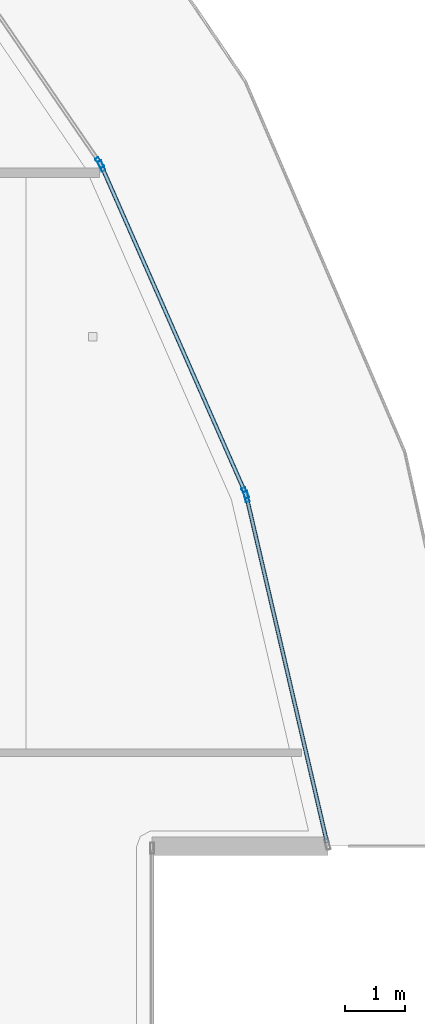
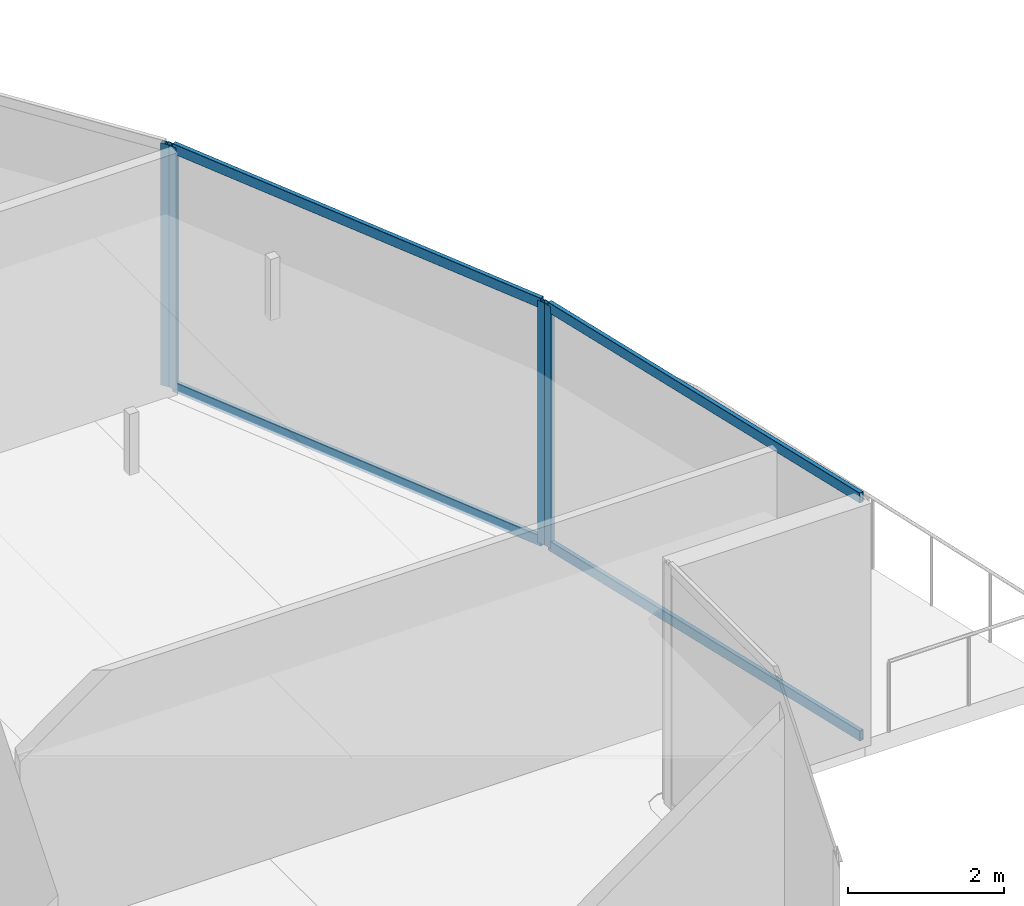
# One storey, part 25 of 43: 8 members, 3 elements without a shape of their own.
"""IFC4 building model written with IfcOpenShell, lengths in metres."""

from ifc_helpers import new_model, si_unit, direction, frame, origin, origin_2d, place, context, subcontext, project, spatial, hollow_rectangle, extrude, material, layer, layer_set, material_profile, profile_set, type_object, element, aggregate, save


model = new_model("IFC4")

# Units and contexts
model_context = context("Model", 3, precision=1e-05, world=origin(), true_north=direction((0.0, 1.0)))
body_context = subcontext(model_context, "Body", "Model", "MODEL_VIEW")
ifc_project = project(units=[si_unit("LENGTHUNIT", "METRE"), si_unit("AREAUNIT", "SQUARE_METRE"), si_unit("VOLUMEUNIT", "CUBIC_METRE"), si_unit("PLANEANGLEUNIT", "RADIAN"), si_unit("MASSUNIT", "GRAM", prefix="KILO")], contexts=[model_context])

# Site, building, storey
site_placement = place(None, origin())
site = spatial("IfcSite", under=ifc_project, at=site_placement, CompositionType="ELEMENT")
building_placement = place(site_placement, origin())
building = spatial("IfcBuilding", under=site, at=building_placement, Name="Qorvath Tower", CompositionType="ELEMENT")
storey_placement = place(building_placement, frame((0.0, 0.0, 213.14990234375)))
storey = spatial("IfcBuildingStorey", under=building, at=storey_placement, Name="L49", CompositionType="ELEMENT", Elevation=213.14990234375)

# Curtain wall, member
ifc_material_1 = material(Name="Anodised aluminium and triple low-E glass", Category="aluminium")
ifc_layer = layer(ifc_material_1, 0.179931640625)
ifc_layer_set = layer_set([ifc_layer], Name="CW-SYS-3")
curtain_wall_type = type_object("IfcCurtainWallType", Name="CW-SYS-3", PredefinedType="NOTDEFINED", material=ifc_layer_set)
curtain_wall_1_placement = place(storey_placement, origin())
curtain_wall_1 = element("IfcCurtainWall", 1, at=curtain_wall_1_placement, inside=storey, type_object=curtain_wall_type, Name="Curtain Wall CW-3 CW-T-L49-11.1", PredefinedType="NOTDEFINED")
ifc_material_2 = material(Name="Anodised aluminium 6063-T6", Category="aluminium")
ifc_material_profile_1 = material_profile(ifc_material_2, hollow_rectangle(XDim=0.06494140625, YDim=0.179931640625, WallThickness=0.00341796875, InnerFilletRadius=0.00341796875, OuterFilletRadius=0.007080078125, at=origin_2d()), Name="CWM 180x65")
ifc_profile_set_1 = profile_set([ifc_material_profile_1], Name="Anodised aluminium 6063-T6")
member_type_1 = type_object("IfcMemberType", Name="CWM-180", PredefinedType="MULLION", material=ifc_profile_set_1)
member_1_placement = place(storey_placement, frame((-0.7509765625, 10.1376953125, 0.0), z_axis=(0.0, 0.0, 1.0), x_axis=(-0.973971468764, -0.226670637786, 0.0)))
member_1 = element("IfcMember", 2, at=member_1_placement, type_object=member_type_1, Name="CW-3 mullion 2", PredefinedType="MULLION", context=body_context, shape_type="SweptSolid", body=[
    extrude(hollow_rectangle(XDim=0.06494140625, YDim=0.179931640625, WallThickness=0.00341796875, InnerFilletRadius=0.00341796875, OuterFilletRadius=0.007080078125, at=origin_2d()), origin(), (0.0, 0.0, 1.0), 3.780029296875),
])

# Curtain wall, members
curtain_wall_2_placement = place(storey_placement, origin())
curtain_wall_2 = element("IfcCurtainWall", 3, at=curtain_wall_2_placement, inside=storey, type_object=curtain_wall_type, Name="Curtain Wall CW-3 CW-T-L49-12.1", PredefinedType="NOTDEFINED")
member_2_placement = place(storey_placement, frame((-0.771484375, 10.19921875, 0.0), z_axis=(0.0, 0.0, 1.0), x_axis=(-0.91538099818, -0.40258865877, 0.0)))
member_2 = element("IfcMember", 4, at=member_2_placement, type_object=member_type_1, Name="CW-3 mullion 1", PredefinedType="MULLION", context=body_context, shape_type="SweptSolid", body=[
    extrude(hollow_rectangle(XDim=0.06494140625, YDim=0.179931640625, WallThickness=0.00341796875, InnerFilletRadius=0.00341796875, OuterFilletRadius=0.007080078125, at=origin_2d()), origin(), (0.0, 0.0, 1.0), 3.780029296875),
])
member_3_placement = place(storey_placement, frame((-3.1474609375, 15.601806640625, 0.0), z_axis=(0.0, 0.0, 1.0), x_axis=(-0.91538099818, -0.40258865877, 0.0)))
member_3 = element("IfcMember", 5, at=member_3_placement, type_object=member_type_1, Name="CW-3 mullion 2", PredefinedType="MULLION", context=body_context, shape_type="SweptSolid", body=[
    extrude(hollow_rectangle(XDim=0.06494140625, YDim=0.179931640625, WallThickness=0.00341796875, InnerFilletRadius=0.00341796875, OuterFilletRadius=0.007080078125, at=origin_2d()), origin(), (0.0, 0.0, 1.0), 3.780029296875),
])

# Curtain wall, member
curtain_wall_3_placement = place(storey_placement, origin())
curtain_wall_3 = element("IfcCurtainWall", 6, at=curtain_wall_3_placement, inside=storey, type_object=curtain_wall_type, Name="Curtain Wall CW-3 CW-T-L49-13.1", PredefinedType="NOTDEFINED")
member_4_placement = place(storey_placement, frame((-3.178955078125, 15.658447265625, 0.0), z_axis=(0.0, 0.0, 1.0), x_axis=(-0.825322881122, -0.564661085871, 0.0)))
member_4 = element("IfcMember", 7, at=member_4_placement, type_object=member_type_1, Name="CW-3 mullion 1", PredefinedType="MULLION", context=body_context, shape_type="SweptSolid", body=[
    extrude(hollow_rectangle(XDim=0.06494140625, YDim=0.179931640625, WallThickness=0.00341796875, InnerFilletRadius=0.00341796875, OuterFilletRadius=0.007080078125, at=origin_2d()), origin(), (0.0, 0.0, 1.0), 3.780029296875),
])
aggregate(curtain_wall_3, [member_4])

# Member
ifc_material_3 = material(Name="Anodised aluminium 6063-T6", Category="aluminium")
ifc_material_profile_2 = material_profile(ifc_material_3, hollow_rectangle(XDim=0.06494140625, YDim=0.159912109375, WallThickness=0.00341796875, InnerFilletRadius=0.00341796875, OuterFilletRadius=0.007080078125, at=origin_2d()), Name="CWT 160x65")
ifc_profile_set_2 = profile_set([ifc_material_profile_2], Name="Anodised aluminium 6063-T6")
member_type_2 = type_object("IfcMemberType", Name="CWT-160", PredefinedType="USERDEFINED", material=ifc_profile_set_2)
member_5_placement = place(storey_placement, frame((0.579345703125, 4.421142578125, 0.032470703125), z_axis=(-0.226658372303, 0.973974323206, 0.0), x_axis=(-0.973974323206, -0.226658372303, 0.0)))
member_5 = element("IfcMember", 8, at=member_5_placement, type_object=member_type_2, Name="CW-3 transom 1.1", ObjectType="TRANSOM", PredefinedType="USERDEFINED", context=body_context, shape_type="SweptSolid", body=[
    extrude(hollow_rectangle(XDim=0.06494140625, YDim=0.159912109375, WallThickness=0.00341796875, InnerFilletRadius=0.00341796875, OuterFilletRadius=0.007080078125, at=origin_2d()), origin(), (0.0, 0.0, 1.0), 5.8369140625),
])

member_6_placement = place(storey_placement, frame((0.579345703125, 4.421142578125, 3.74755859375), z_axis=(-0.226658372303, 0.973974323206, 0.0), x_axis=(-0.973974323206, -0.226658372303, 0.0)))
member_6 = element("IfcMember", 9, at=member_6_placement, type_object=member_type_2, Name="CW-3 transom 1.2", ObjectType="TRANSOM", PredefinedType="USERDEFINED", context=body_context, shape_type="SweptSolid", body=[
    extrude(hollow_rectangle(XDim=0.06494140625, YDim=0.159912109375, WallThickness=0.00341796875, InnerFilletRadius=0.00341796875, OuterFilletRadius=0.007080078125, at=origin_2d()), origin(), (0.0, 0.0, 1.0), 5.8369140625),
])

aggregate(curtain_wall_1, [member_1, member_5, member_6])

member_7_placement = place(storey_placement, frame((-0.784423828125, 10.22900390625, 0.032470703125), z_axis=(-0.40261946772, 0.915367447648, 0.0), x_axis=(-0.915367447648, -0.40261946772, 0.0)))
member_7 = element("IfcMember", 10, at=member_7_placement, type_object=member_type_2, Name="CW-3 transom 1.1", ObjectType="TRANSOM", PredefinedType="USERDEFINED", context=body_context, shape_type="SweptSolid", body=[
    extrude(hollow_rectangle(XDim=0.06494140625, YDim=0.159912109375, WallThickness=0.00341796875, InnerFilletRadius=0.00341796875, OuterFilletRadius=0.007080078125, at=origin_2d()), origin(), (0.0, 0.0, 1.0), 5.8369140625),
])

member_8_placement = place(storey_placement, frame((-0.784423828125, 10.22900390625, 3.74755859375), z_axis=(-0.40261946772, 0.915367447648, 0.0), x_axis=(-0.915367447648, -0.40261946772, 0.0)))
member_8 = element("IfcMember", 11, at=member_8_placement, type_object=member_type_2, Name="CW-3 transom 1.2", ObjectType="TRANSOM", PredefinedType="USERDEFINED", context=body_context, shape_type="SweptSolid", body=[
    extrude(hollow_rectangle(XDim=0.06494140625, YDim=0.159912109375, WallThickness=0.00341796875, InnerFilletRadius=0.00341796875, OuterFilletRadius=0.007080078125, at=origin_2d()), origin(), (0.0, 0.0, 1.0), 5.8369140625),
])

aggregate(curtain_wall_2, [member_2, member_3, member_7, member_8])

save(model, "model.ifc")
